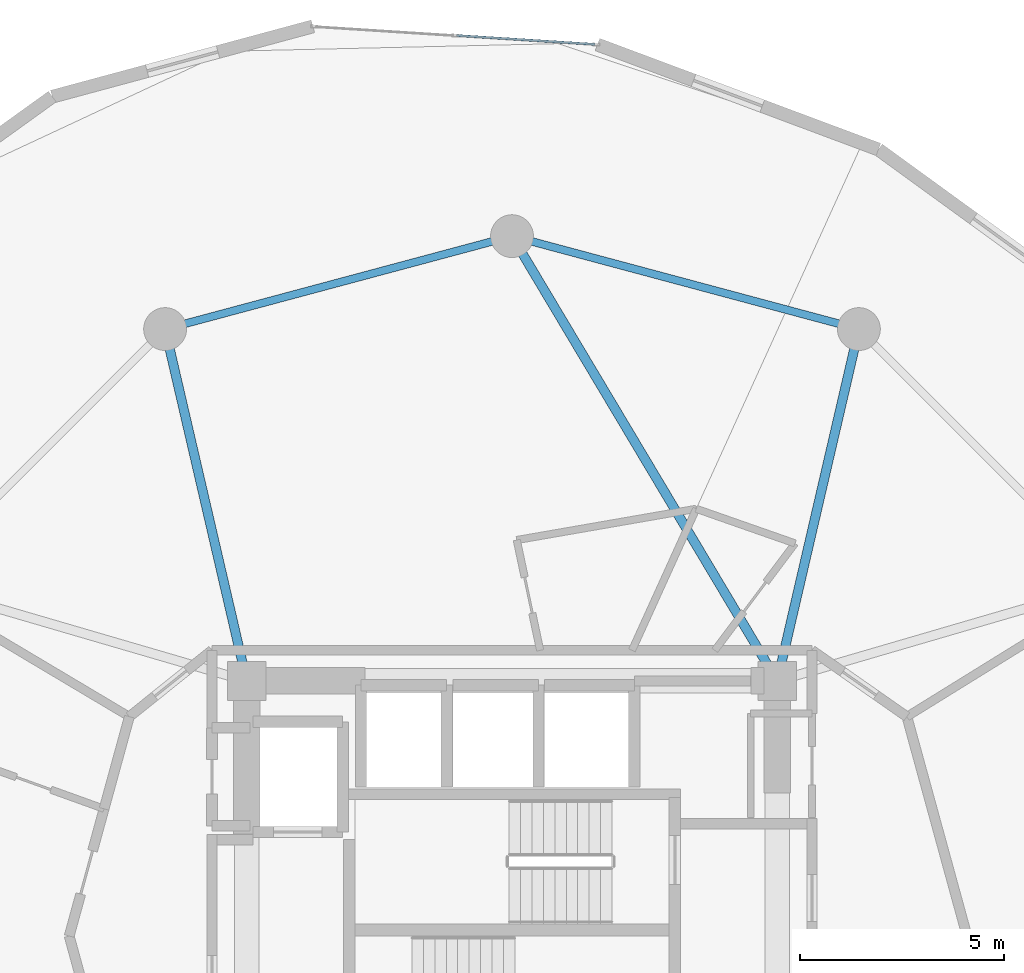
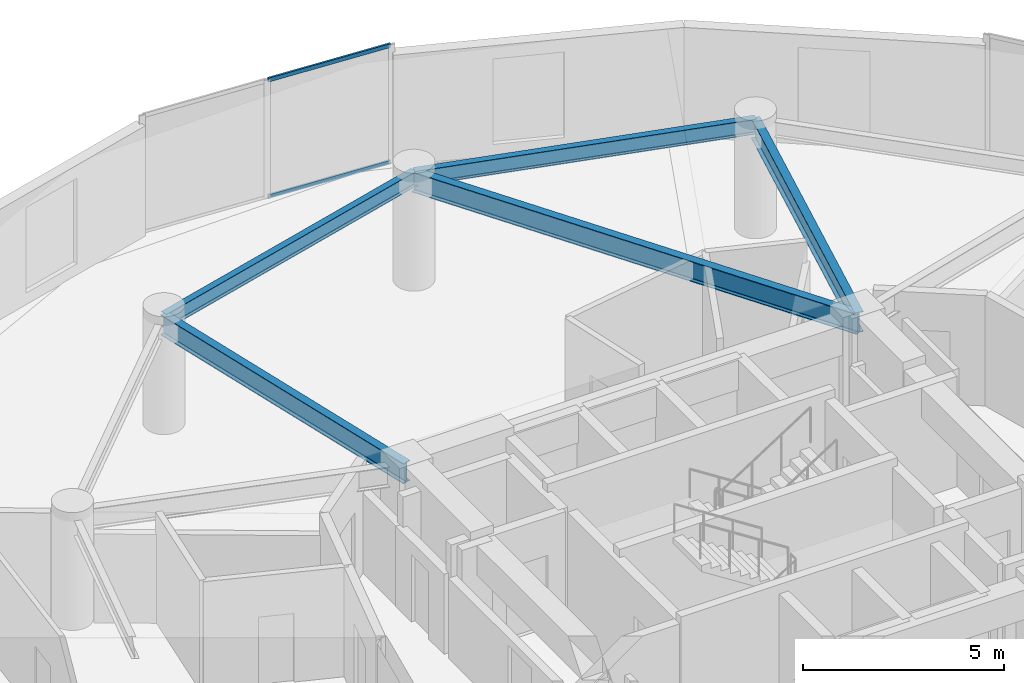
# One storey, part 13 of 21: 5 beams, 2 members, 1 element without a shape of its own.
"""IFC4 building model written with IfcOpenShell, lengths in metres."""

import ifcopenshell
import ifcopenshell.guid

model = None  # the IFC model being written
_history = None  # IfcOwnerHistory: only IFC2X3 demands one
_inside = {}  # id of a spatial element -> (the spatial element, [elements in it])
_under = {}  # id of a project, library or spatial element -> (it, [spatial elements below it])
_declared = {}  # id of a project -> (the project, [libraries it declares])
_typed = {}  # id of a type object -> (the type object, [elements of that type])
_made_of = {}  # id of a material, layer set ... -> (it, [elements and type objects made of it])


def new_model(schema):
    """Start an empty IFC model of exactly this schema.

    Asked for "IFC4X3", IfcOpenShell would pick the latest addendum, in which some entities
    have other attributes; the version numbers below select the first issue.
    IFC2X3 requires an IfcOwnerHistory on every rooted entity: one is made here for all.
    """
    global model, _history
    if schema == "IFC4X3":
        model = ifcopenshell.file(schema_version=(4, 3, 0, 0))
    else:
        model = ifcopenshell.file(schema=schema)
    _inside.clear()
    _under.clear()
    _declared.clear()
    _typed.clear()
    _made_of.clear()
    _history = None
    if model.schema == "IFC2X3":
        org = make("IfcOrganization", Name="unknown")
        user = make(
            "IfcPersonAndOrganization",
            ThePerson=make("IfcPerson", FamilyName="unknown"),
            TheOrganization=org,
        )
        app = make(
            "IfcApplication",
            ApplicationDeveloper=org,
            Version="unknown",
            ApplicationFullName="unknown",
            ApplicationIdentifier="unknown",
        )
        _history = make(
            "IfcOwnerHistory",
            OwningUser=user,
            OwningApplication=app,
            ChangeAction="ADDED",
            CreationDate=0,
        )
    return model


def make(cls, **values):
    """One entity of the class cls with the attributes given. An attribute that is None is left unset."""
    return model.create_entity(
        cls, **{name: value for name, value in values.items() if value is not None}
    )


def rooted(cls, **values):
    """An entity with a GlobalId (a new one), such as an element, a storey or a relation."""
    return make(cls, GlobalId=ifcopenshell.guid.new(), OwnerHistory=_history, **values)


def si_unit(unit_type, name, prefix=None):
    """IfcSIUnit, for example si_unit("LENGTHUNIT", "METRE", prefix="MILLI")."""
    return make("IfcSIUnit", UnitType=unit_type, Prefix=prefix, Name=name)


def assignment(units):
    """IfcUnitAssignment: the units of a project."""
    return None if units is None else make("IfcUnitAssignment", Units=units)


def point(xyz):
    """IfcCartesianPoint."""
    return None if xyz is None else make("IfcCartesianPoint", Coordinates=xyz)


def direction(xyz):
    """IfcDirection."""
    return None if xyz is None else make("IfcDirection", DirectionRatios=xyz)


def frame(location, z_axis=None, x_axis=None):
    """IfcAxis2Placement3D, a coordinate frame: its origin and axes. An axis left out is left unset."""
    return make(
        "IfcAxis2Placement3D",
        Location=point(location),
        Axis=direction(z_axis),
        RefDirection=direction(x_axis),
    )


def frame_2d(location, x_axis=None):
    """IfcAxis2Placement2D, a coordinate frame in the plane: its origin and x axis."""
    return make(
        "IfcAxis2Placement2D", Location=point(location), RefDirection=direction(x_axis)
    )


def origin():
    """The frame at (0, 0, 0) with its axes left unset."""
    return frame((0.0, 0.0, 0.0))


def origin_2d():
    """The frame at (0, 0) in the plane with its x axis left unset."""
    return frame_2d((0.0, 0.0))


def place(relative_to, where):
    """IfcLocalPlacement: puts the frame where relative to a parent placement (None: the world)."""
    return make(
        "IfcLocalPlacement", PlacementRelTo=relative_to, RelativePlacement=where
    )


def context(
    kind, dimensions, precision=None, world=None, true_north=None, identifier=None
):
    """IfcGeometricRepresentationContext, for example the 3D "Model" context."""
    return make(
        "IfcGeometricRepresentationContext",
        ContextIdentifier=identifier,
        ContextType=kind,
        CoordinateSpaceDimension=dimensions,
        Precision=precision,
        WorldCoordinateSystem=world,
        TrueNorth=true_north,
    )


def subcontext(parent, identifier, kind, view, scale=None):
    """IfcGeometricRepresentationSubContext, for example "Body" below "Model"."""
    return make(
        "IfcGeometricRepresentationSubContext",
        ContextIdentifier=identifier,
        ContextType=kind,
        ParentContext=parent,
        TargetScale=scale,
        TargetView=view,
    )


def project(units=None, contexts=None):
    """IfcProject with its units and contexts."""
    return rooted(
        "IfcProject",
        Name="project",
        RepresentationContexts=contexts,
        UnitsInContext=assignment(units),
    )


def spatial(cls, under=None, at=None, **own):
    """A site, building, storey or space (cls), placed at a placement, below another one or the project."""
    s = rooted(cls, ObjectPlacement=at, **own)
    if under is not None:
        _under.setdefault(under.id(), (under, []))[1].append(s)
    return s


def profile(cls, at=None, kind="AREA", **sizes):
    """A parametric profile (cls). Its sizes go by their IFC names, for example OverallWidth=200.0."""
    return make(cls, ProfileType=kind, Position=at, **sizes)


def hollow_rectangle(**sizes):
    """IfcRectangleHollowProfileDef."""
    return profile("IfcRectangleHollowProfileDef", **sizes)


def i_section(**sizes):
    """IfcIShapeProfileDef."""
    return profile("IfcIShapeProfileDef", **sizes)


def extrude(swept, where, along, depth):
    """IfcExtrudedAreaSolid: the profile swept, set in the frame where, extruded along a direction by depth."""
    return make(
        "IfcExtrudedAreaSolid",
        SweptArea=swept,
        Position=where,
        ExtrudedDirection=direction(along),
        Depth=depth,
    )


def shape(context_of_items, identifier, shape_type, items):
    """IfcShapeRepresentation: the items that make up one representation, for example the "Body"."""
    return make(
        "IfcShapeRepresentation",
        ContextOfItems=context_of_items,
        RepresentationIdentifier=identifier,
        RepresentationType=shape_type,
        Items=items,
    )


def source(mapping_origin, context_of_items, identifier, shape_type, items):
    """IfcRepresentationMap: a shape defined once, which mapped items show again and again."""
    return make(
        "IfcRepresentationMap",
        MappingOrigin=mapping_origin,
        MappedRepresentation=shape(context_of_items, identifier, shape_type, items),
    )


def transform(
    local_origin,
    x_axis=None,
    y_axis=None,
    z_axis=None,
    scale=None,
    scale2=None,
    scale3=None,
    uniform=True,
):
    """IfcCartesianTransformationOperator3D, or its non-uniform kind. x_axis, y_axis, z_axis: its Axis1, 2, 3."""
    if uniform:
        return make(
            "IfcCartesianTransformationOperator3D",
            Axis1=direction(x_axis),
            Axis2=direction(y_axis),
            LocalOrigin=point(local_origin),
            Scale=scale,
            Axis3=direction(z_axis),
        )
    return make(
        "IfcCartesianTransformationOperator3DnonUniform",
        Axis1=direction(x_axis),
        Axis2=direction(y_axis),
        LocalOrigin=point(local_origin),
        Scale=scale,
        Axis3=direction(z_axis),
        Scale2=scale2,
        Scale3=scale3,
    )


def mapped(mapping_source, mapping_target):
    """IfcMappedItem: shows the shape of a source again, moved by a transform."""
    return make(
        "IfcMappedItem", MappingSource=mapping_source, MappingTarget=mapping_target
    )


def material(Name=None, Category=None):
    """IfcMaterial."""
    return make("IfcMaterial", Name=Name, Category=Category)


def layer(
    of_material, thickness, ventilated=None, Name=None, Category=None, Priority=None
):
    """IfcMaterialLayer: one layer of a wall or slab, of a material (None: an air gap)."""
    return make(
        "IfcMaterialLayer",
        Material=of_material,
        LayerThickness=thickness,
        IsVentilated=ventilated,
        Name=Name,
        Category=Category,
        Priority=Priority,
    )


def layer_set(layers, Name=None):
    """IfcMaterialLayerSet."""
    return make("IfcMaterialLayerSet", MaterialLayers=layers, LayerSetName=Name)


def material_profile(
    of_material, cross_section, Name=None, Category=None, Priority=None
):
    """IfcMaterialProfile: a cross section and its material."""
    return make(
        "IfcMaterialProfile",
        Name=Name,
        Material=of_material,
        Profile=cross_section,
        Priority=Priority,
        Category=Category,
    )


def profile_set(profiles, Name=None, composite=None):
    """IfcMaterialProfileSet."""
    return make(
        "IfcMaterialProfileSet",
        Name=Name,
        MaterialProfiles=profiles,
        CompositeProfile=composite,
    )


def made_of(thing, what):
    """Note that an element or type object is made of a material, layer set ...; save() writes the relation."""
    if what is not None:
        _made_of.setdefault(what.id(), (what, []))[1].append(thing)
    return thing


def type_object(cls, material=None, **own):
    """A type object (cls), such as IfcWallType, which elements share."""
    return made_of(rooted(cls, **own), material)


def element(
    cls,
    number,
    at=None,
    inside=None,
    cuts=None,
    type_object=None,
    material=None,
    context=None,
    identifier="Body",
    shape_type=None,
    held_by="IfcProductDefinitionShape",
    body=None,
    shapes=None,
    **own,
):
    """One element of the class cls, such as IfcWall. Its Tag is "e" and its number.

    at: its placement. inside: the storey or other place that contains it. cuts: it is an
    opening in that element (IfcRelVoidsElement). A single representation is given by context,
    identifier, shape_type and body (its items); several are given by shapes. held_by: the class
    of the entity that holds the representations. save() writes the other relations.
    """
    e = rooted(cls, Tag="e%d" % number, ObjectPlacement=at, **own)
    if body is not None:
        shapes = [shape(context, identifier, shape_type, body)]
    if shapes is not None:
        e.Representation = make(held_by, Representations=shapes)
    if inside is not None:
        _inside.setdefault(inside.id(), (inside, []))[1].append(e)
    if cuts is not None:
        rooted(
            "IfcRelVoidsElement", RelatingBuildingElement=cuts, RelatedOpeningElement=e
        )
    if type_object is not None:
        _typed.setdefault(type_object.id(), (type_object, []))[1].append(e)
    return made_of(e, material)


def aggregate(whole, parts):
    """IfcRelAggregates: a whole, such as a stair, and the parts it consists of."""
    return rooted("IfcRelAggregates", RelatingObject=whole, RelatedObjects=parts)


def save(model, path):
    """Write the relations noted so far, then the file.

    IfcRelAggregates (storeys below a building ...), IfcRelContainedInSpatialStructure (elements
    in a storey), IfcRelDefinesByType, IfcRelAssociatesMaterial and IfcRelDeclares: one each for
    every whole, place, type object, material and project.
    """
    for whole, parts in _under.values():
        aggregate(whole, parts)
    for where, things in _inside.values():
        rooted(
            "IfcRelContainedInSpatialStructure",
            RelatedElements=things,
            RelatingStructure=where,
        )
    for kind, things in _typed.values():
        rooted("IfcRelDefinesByType", RelatedObjects=things, RelatingType=kind)
    for what, things in _made_of.values():
        rooted("IfcRelAssociatesMaterial", RelatedObjects=things, RelatingMaterial=what)
    for by, libraries in _declared.values():
        rooted("IfcRelDeclares", RelatingContext=by, RelatedDefinitions=libraries)
    model.write(path)


model = new_model("IFC4")

# Units and contexts
model_context = context("Model", 3, precision=1e-05, world=origin(), true_north=direction((0.0, 1.0)))
body_context = subcontext(model_context, "Body", "Model", "MODEL_VIEW")
ifc_project = project(units=[si_unit("LENGTHUNIT", "METRE"), si_unit("AREAUNIT", "SQUARE_METRE"), si_unit("VOLUMEUNIT", "CUBIC_METRE"), si_unit("PLANEANGLEUNIT", "RADIAN"), si_unit("MASSUNIT", "GRAM", prefix="KILO")], contexts=[model_context])

# Site, building, storey
site_placement = place(None, origin())
site = spatial("IfcSite", under=ifc_project, at=site_placement, CompositionType="ELEMENT")
building_placement = place(site_placement, origin())
building = spatial("IfcBuilding", under=site, at=building_placement, Name="Solvirekh Grand Hotel", CompositionType="ELEMENT")
storey_placement = place(building_placement, frame((0.0, 0.0, 142.199951171875)))
storey = spatial("IfcBuildingStorey", under=building, at=storey_placement, Name="L36", CompositionType="ELEMENT", Elevation=142.199951171875)

# Beams
ifc_material_1 = material(Name="Steel S355", Category="steel")
ifc_material_profile_1 = material_profile(ifc_material_1, i_section(OverallWidth=0.22802734375, OverallDepth=0.616943359375, WebThickness=0.012939453125, FlangeThickness=0.02001953125, FilletRadius=0.014892578125, at=origin_2d()), Name="W610X140")
ifc_profile_set_1 = profile_set([ifc_material_profile_1], Name="Steel S355")
beam_type_1 = type_object("IfcBeamType", Name="Beam_Radial_W610", PredefinedType="BEAM", material=ifc_profile_set_1)
beam_1_placement = place(storey_placement, frame((6.5, 6.10009765625, 3.0419921875), z_axis=(0.225969390542, 0.974134402707, 0.0), x_axis=(-0.974134402707, 0.225969390542, 0.0)))
element("IfcBeam", 1, at=beam_1_placement, inside=storey, type_object=beam_type_1, Name="L36 radial floor beam R03", PredefinedType="BEAM", context=body_context, shape_type="SweptSolid", body=[
    extrude(i_section(OverallWidth=0.22802734375, OverallDepth=0.616943359375, WebThickness=0.012939453125, FlangeThickness=0.02001953125, FilletRadius=0.014892578125, at=origin_2d()), origin(), (0.0, 0.0, 1.0), 8.850830078125),
])
beam_2_placement = place(storey_placement, frame((6.5, 6.10009765625, 3.0419921875), z_axis=(-0.512179721377, 0.858878299301, 0.0), x_axis=(-0.858878299301, -0.512179721377, 0.0)))
element("IfcBeam", 2, at=beam_2_placement, inside=storey, type_object=beam_type_1, Name="L36 radial floor beam R04", PredefinedType="BEAM", context=body_context, shape_type="SweptSolid", body=[
    extrude(i_section(OverallWidth=0.22802734375, OverallDepth=0.616943359375, WebThickness=0.012939453125, FlangeThickness=0.02001953125, FilletRadius=0.014892578125, at=origin_2d()), origin(), (0.0, 0.0, 1.0), 12.69091796875),
])
beam_3_placement = place(storey_placement, frame((-6.5, 6.10009765625, 3.0419921875), z_axis=(-0.225969390542, 0.974134402707, 0.0), x_axis=(-0.974134402707, -0.225969390542, 0.0)))
element("IfcBeam", 3, at=beam_3_placement, inside=storey, type_object=beam_type_1, Name="L36 radial floor beam R05", PredefinedType="BEAM", context=body_context, shape_type="SweptSolid", body=[
    extrude(i_section(OverallWidth=0.22802734375, OverallDepth=0.616943359375, WebThickness=0.012939453125, FlangeThickness=0.02001953125, FilletRadius=0.014892578125, at=origin_2d()), origin(), (0.0, 0.0, 1.0), 8.850830078125),
])
ifc_material_profile_2 = material_profile(ifc_material_1, i_section(OverallWidth=0.18994140625, OverallDepth=0.45703125, WebThickness=0.009033203125, FlangeThickness=0.013916015625, FilletRadius=0.012939453125, at=origin_2d()), Name="W460X74")
ifc_profile_set_2 = profile_set([ifc_material_profile_2], Name="Steel S355")
beam_type_2 = type_object("IfcBeamType", Name="Spandrel_Ring_W460", PredefinedType="SPANDREL", material=ifc_profile_set_2)
for number, where, z_axis, x_axis, name in (
    (4, (8.5, 14.721923828125, 3.1220703125), (-0.965911391906, 0.258872908946, 0.0), (-0.258872908946, -0.965911391906, 0.0), "L36 perimeter spandrel beam 3"),
    (5, (0.0, 17.0, 3.1220703125), (-0.965911391906, -0.258872908946, 0.0), (0.258872908946, -0.965911391906, 0.0), "L36 perimeter spandrel beam 4"),
):
    element("IfcBeam", number, at=place(storey_placement, frame(where, z_axis=z_axis, x_axis=x_axis)), inside=storey, type_object=beam_type_2, Name=name, PredefinedType="SPANDREL", context=body_context, shape_type="SweptSolid", body=[
        extrude(i_section(OverallWidth=0.18994140625, OverallDepth=0.45703125, WebThickness=0.009033203125, FlangeThickness=0.013916015625, FilletRadius=0.012939453125, at=origin_2d()), origin(), (0.0, 0.0, 1.0), 8.800048828125),
    ])

# Curtain wall, members
ifc_material_2 = material(Name="Anodized Bronze Aluminium 6063-T6", Category="aluminium")
ifc_layer = layer(ifc_material_2, 0.175048828125)
ifc_layer_set = layer_set([ifc_layer], Name="Anodized Bronze Aluminium 6063-T6")
curtain_wall_type = type_object("IfcCurtainWallType", Name="CW_Sys3_MidZoneFlushBronzeCW", PredefinedType="NOTDEFINED", material=ifc_layer_set)
curtain_wall_placement = place(storey_placement, origin())
curtain_wall = element("IfcCurtainWall", 6, at=curtain_wall_placement, inside=storey, type_object=curtain_wall_type, Name="L36 unitised bronze-glass curtain wall CW-L36-C08", PredefinedType="NOTDEFINED")
ifc_material_profile_3 = material_profile(ifc_material_2, hollow_rectangle(XDim=0.054931640625, YDim=0.1201171875, WallThickness=0.00390625, at=origin_2d()), Name="ALU RHS 120X55X4")
ifc_profile_set_3 = profile_set([ifc_material_profile_3], Name="Anodized Bronze Aluminium 6063-T6")
member_type = type_object("IfcMemberType", Name="CWTransom_Sys3", PredefinedType="USERDEFINED", material=ifc_profile_set_3)
shared_shape = source(origin(), body_context, "Body", "SweptSolid", [
    extrude(hollow_rectangle(XDim=0.054931640625, YDim=0.1201171875, WallThickness=0.00390625, at=origin_2d()), origin(), (0.0, 0.0, 1.0), 3.39697265625),
])
member_1_placement = place(storey_placement, frame((2.030029296875, 21.69921875, 0.027587890625), z_axis=(-0.997961493669, 0.063818940399, 0.0), x_axis=(-0.063818940399, -0.997961493669, 0.0)))
member_1 = element("IfcMember", 7, at=member_1_placement, type_object=member_type, Name="U03 transom 1.1", ObjectType="TRANSOM", PredefinedType="USERDEFINED", context=body_context, shape_type="MappedRepresentation", body=[
    mapped(shared_shape, transform((0.0, 0.0, 0.0), x_axis=(1.0, 0.0, 0.0), y_axis=(0.0, 1.0, 0.0), z_axis=(0.0, 0.0, 1.0), scale=1.0)),
])
member_2_placement = place(storey_placement, frame((2.030029296875, 21.69921875, 3.572509765625), z_axis=(-0.997961493669, 0.063818940399, 0.0), x_axis=(-0.063818940399, -0.997961493669, 0.0)))
member_2 = element("IfcMember", 8, at=member_2_placement, type_object=member_type, Name="U03 transom 1.2", ObjectType="TRANSOM", PredefinedType="USERDEFINED", context=body_context, shape_type="MappedRepresentation", body=[
    mapped(shared_shape, transform((0.0, 0.0, 0.0), x_axis=(1.0, 0.0, 0.0), y_axis=(0.0, 1.0, 0.0), z_axis=(0.0, 0.0, 1.0), scale=1.0)),
])
aggregate(curtain_wall, [member_1, member_2])

save(model, "model.ifc")
